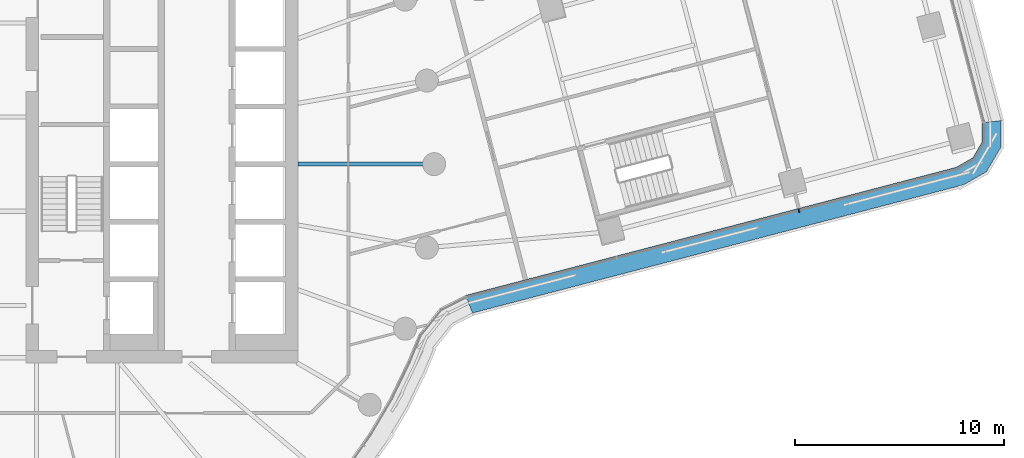
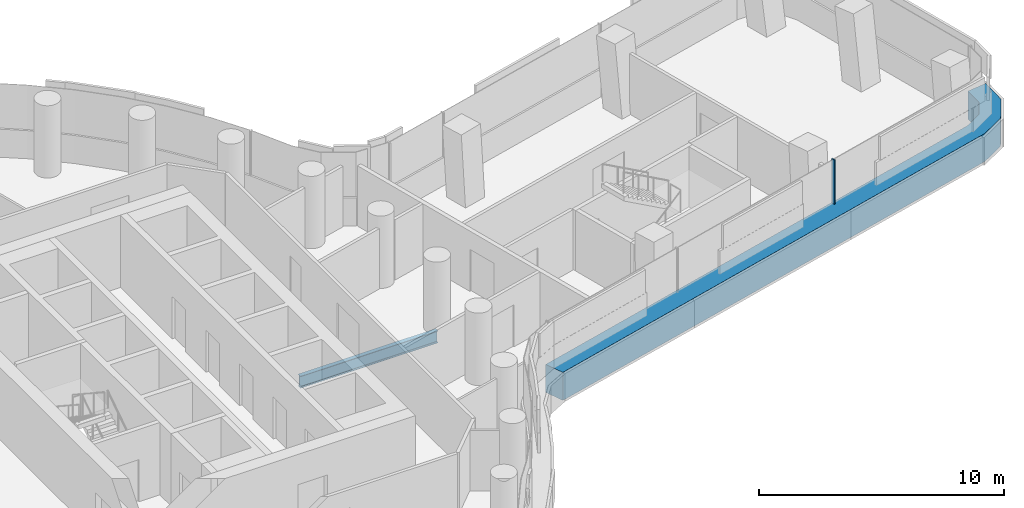
# One storey, part 10 of 30: 2 members, 1 beam, 1 element without a shape of its own.
"""IFC4 building model written with IfcOpenShell, lengths in metres."""

from ifc_helpers import new_model, si_unit, direction, frame, origin, origin_2d, place, context, subcontext, project, spatial, polyline, rectangle, i_section, outline, extrude, material, layer, layer_set, material_profile, profile_set, type_object, element, aggregate, save


model = new_model("IFC4")

# Units and contexts
model_context = context("Model", 3, precision=1e-05, world=origin(), true_north=direction((0.0, 1.0)))
body_context = subcontext(model_context, "Body", "Model", "MODEL_VIEW")
ifc_project = project(units=[si_unit("LENGTHUNIT", "METRE"), si_unit("AREAUNIT", "SQUARE_METRE"), si_unit("VOLUMEUNIT", "CUBIC_METRE"), si_unit("PLANEANGLEUNIT", "RADIAN"), si_unit("MASSUNIT", "GRAM", prefix="KILO")], contexts=[model_context])

# Site, building, storey
site_placement = place(None, origin())
site = spatial("IfcSite", under=ifc_project, at=site_placement, CompositionType="ELEMENT")
building_placement = place(site_placement, origin())
building = spatial("IfcBuilding", under=site, at=building_placement, Name="Tamarind Cross Interchange Tower", CompositionType="ELEMENT")
storey_placement = place(building_placement, frame((0.0, 0.0, 87.25)))
storey = spatial("IfcBuildingStorey", under=building, at=storey_placement, Name="L20", CompositionType="ELEMENT", Elevation=87.25)

# Beam
ifc_material_1 = material(Name="Steel Q355B", Category="steel")
ifc_material_profile_1 = material_profile(ifc_material_1, i_section(OverallWidth=0.198974609375, OverallDepth=0.595947265625, WebThickness=0.010009765625, FlangeThickness=0.014892578125, FilletRadius=0.012939453125, at=origin_2d()), Name="HN 596x199x10x15")
ifc_profile_set_1 = profile_set([ifc_material_profile_1], Name="Steel Q355B")
beam_type = type_object("IfcBeamType", Name="Composite beam HN 596x199x10x15 Q355B", PredefinedType="BEAM", material=ifc_profile_set_1)
beam_placement = place(storey_placement, frame((23.0, 0.0, -0.43798828125), z_axis=(-1.0, 0.0, 0.0), x_axis=(0.0, -1.0, 0.0)))
element("IfcBeam", 1, at=beam_placement, inside=storey, type_object=beam_type, Name="Beam HH00", PredefinedType="BEAM", context=body_context, shape_type="SweptSolid", body=[
    extrude(i_section(OverallWidth=0.198974609375, OverallDepth=0.595947265625, WebThickness=0.010009765625, FlangeThickness=0.014892578125, FilletRadius=0.012939453125, at=origin_2d()), origin(), (0.0, 0.0, 1.0), 6.5),
])

# Curtain wall, members
ifc_material_2 = material(Name="Aluminium 6063-T6", Category="aluminium")
ifc_layer = layer(ifc_material_2, 0.159912109375)
ifc_layer_set = layer_set([ifc_layer], Name="Aluminium 6063-T6")
curtain_wall_type = type_object("IfcCurtainWallType", Name="Office curtain wall, 9.0 m bays", PredefinedType="NOTDEFINED", material=ifc_layer_set)
curtain_wall_placement = place(storey_placement, origin())
curtain_wall = element("IfcCurtainWall", 2, at=curtain_wall_placement, inside=storey, type_object=curtain_wall_type, Name="CWS-L20-11", PredefinedType="NOTDEFINED")
ifc_material_3 = material(Name="Aluminium and insulated spandrel panel", Category="aluminium")
member_type_1 = type_object("IfcMemberType", Name="Floor-edge blade transom", PredefinedType="USERDEFINED", material=ifc_material_3)
member_1_placement = place(storey_placement, origin())
member_1 = element("IfcMember", 3, at=member_1_placement, type_object=member_type_1, Name="CWT-L20-11", ObjectType="TRANSOM", PredefinedType="USERDEFINED", context=body_context, shape_type="SweptSolid", body=[
    extrude(outline(polyline([(24.509521484375, -6.26953125), (47.95068359375, -0.151611328125), (48.74658203125, 0.301025390625), (49.188720703125, 1.055419921875), (49.194580078125, 1.970703125), (50.095458984375, 2.08349609375), (50.087158203125, 0.808349609375), (49.401123046875, -0.362060546875), (48.292724609375, -0.992431640625), (24.83056640625, -7.11572265625), (24.509521484375, -6.26953125)])), origin(), (0.0, 0.0, 1.0), 1.39990234375),
])
ifc_material_profile_2 = material_profile(ifc_material_2, rectangle(XDim=0.06005859375, YDim=0.159912109375, at=origin_2d()), Name="Mullion CW1")
ifc_profile_set_2 = profile_set([ifc_material_profile_2], Name="Aluminium 6063-T6")
member_type_2 = type_object("IfcMemberType", Name="Mullion CW1", PredefinedType="MULLION", material=ifc_profile_set_2)
member_2_placement = place(storey_placement, frame((40.4326171875, -2.217041015625, 1.39990234375), z_axis=(0.0, 0.0, 1.0), x_axis=(0.967589396666, 0.252528729967, 0.0)))
member_2 = element("IfcMember", 4, at=member_2_placement, type_object=member_type_2, Name="CWM-L20-11-02", PredefinedType="MULLION", context=body_context, shape_type="SweptSolid", body=[
    extrude(rectangle(XDim=0.06005859375, YDim=0.159912109375, at=origin_2d()), origin(), (0.0, 0.0, 1.0), 2.210205078125),
])
aggregate(curtain_wall, [member_2, member_1])

save(model, "model.ifc")
